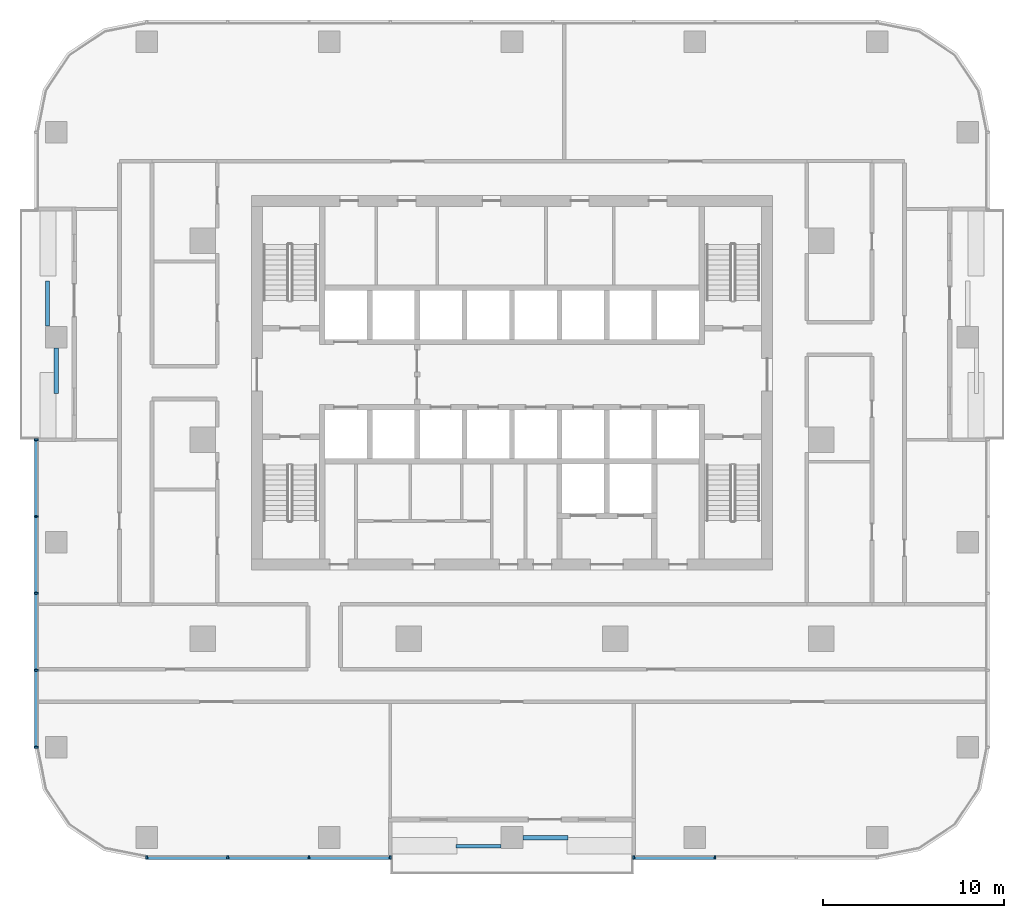
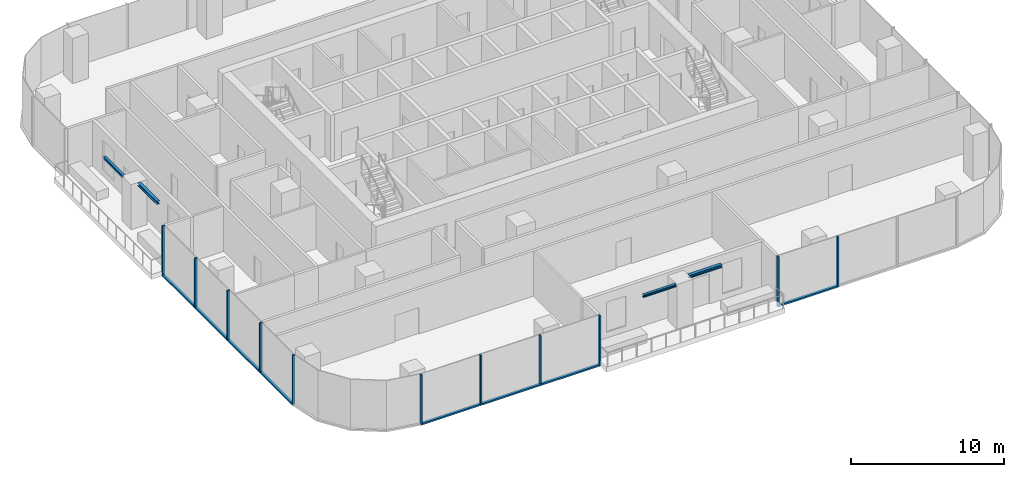
# One storey, part 2 of 14: 19 members, 4 beams, 3 elements without a shape of their own.
"""IFC4 building model written with IfcOpenShell, lengths in metres."""

from ifc_helpers import new_model, si_unit, direction, frame, origin, origin_2d, place, context, subcontext, project, spatial, rectangle, i_section, extrude, material, material_profile, profile_set, type_object, element, aggregate, save


model = new_model("IFC4")

# Units and contexts
model_context = context("Model", 3, precision=1e-05, world=origin(), true_north=direction((0.0, 1.0)))
body_context = subcontext(model_context, "Body", "Model", "MODEL_VIEW")
ifc_project = project(units=[si_unit("LENGTHUNIT", "METRE"), si_unit("AREAUNIT", "SQUARE_METRE"), si_unit("VOLUMEUNIT", "CUBIC_METRE"), si_unit("PLANEANGLEUNIT", "RADIAN"), si_unit("MASSUNIT", "GRAM", prefix="KILO")], contexts=[model_context])

# Site, building, storey
site_placement = place(None, origin())
site = spatial("IfcSite", under=ifc_project, at=site_placement, CompositionType="ELEMENT")
building_placement = place(site_placement, origin())
building = spatial("IfcBuilding", under=site, at=building_placement, Name="Mopane Tessera Tower", CompositionType="ELEMENT")
storey_placement = place(building_placement, frame((0.0, 0.0, 165.0)))
storey = spatial("IfcBuildingStorey", under=building, at=storey_placement, Name="L33", CompositionType="ELEMENT", Elevation=165.0)

# Curtain wall, members
ifc_material_1 = material(Name="Aluminium frame", Category="aluminium")
curtain_wall_type = type_object("IfcCurtainWallType", Name="Unitised curtain wall", PredefinedType="NOTDEFINED", material=ifc_material_1)
curtain_wall_1_placement = place(storey_placement, origin())
curtain_wall_1 = element("IfcCurtainWall", 1, at=curtain_wall_1_placement, inside=storey, type_object=curtain_wall_type, Name="e:cw:L33:S:0", PredefinedType="NOTDEFINED")
ifc_material_2 = material(Name="Aluminium frame", Category="aluminium")
ifc_material_profile_1 = material_profile(ifc_material_2, rectangle(XDim=0.10009765625, YDim=0.199951171875, at=origin_2d()))
ifc_profile_set_1 = profile_set([ifc_material_profile_1], Name="Aluminium frame")
member_type_1 = type_object("IfcMemberType", Name="Aluminium mullion 100 x 200", PredefinedType="MULLION", material=ifc_profile_set_1)
member_1_placement = place(storey_placement, frame((-20.199951171875, -23.10009765625, -0.39990234375), z_axis=(0.0, 0.0, 1.0), x_axis=(1.0, 0.0, 0.0)))
member_1 = element("IfcMember", 2, at=member_1_placement, type_object=member_type_1, Name="e:cw:L33:S:0:mu0", PredefinedType="MULLION", context=body_context, shape_type="SweptSolid", body=[
    extrude(rectangle(XDim=0.10009765625, YDim=0.199951171875, at=origin_2d()), origin(), (0.0, 0.0, 1.0), 4.0),
])
member_2_placement = place(storey_placement, frame((-15.711181640625, -23.10009765625, -0.39990234375), z_axis=(0.0, 0.0, 1.0), x_axis=(1.0, 0.0, 0.0)))
member_2 = element("IfcMember", 3, at=member_2_placement, type_object=member_type_1, Name="e:cw:L33:S:0:mu1", PredefinedType="MULLION", context=body_context, shape_type="SweptSolid", body=[
    extrude(rectangle(XDim=0.10009765625, YDim=0.199951171875, at=origin_2d()), origin(), (0.0, 0.0, 1.0), 4.0),
])
member_3_placement = place(storey_placement, frame((-11.22216796875, -23.10009765625, -0.39990234375), z_axis=(0.0, 0.0, 1.0), x_axis=(1.0, 0.0, 0.0)))
member_3 = element("IfcMember", 4, at=member_3_placement, type_object=member_type_1, Name="e:cw:L33:S:0:mu2", PredefinedType="MULLION", context=body_context, shape_type="SweptSolid", body=[
    extrude(rectangle(XDim=0.10009765625, YDim=0.199951171875, at=origin_2d()), origin(), (0.0, 0.0, 1.0), 4.0),
])
member_4_placement = place(storey_placement, frame((-6.7333984375, -23.10009765625, -0.39990234375), z_axis=(0.0, 0.0, 1.0), x_axis=(1.0, 0.0, 0.0)))
member_4 = element("IfcMember", 5, at=member_4_placement, type_object=member_type_1, Name="e:cw:L33:S:0:mu3", PredefinedType="MULLION", context=body_context, shape_type="SweptSolid", body=[
    extrude(rectangle(XDim=0.10009765625, YDim=0.199951171875, at=origin_2d()), origin(), (0.0, 0.0, 1.0), 4.0),
])

curtain_wall_2_placement = place(storey_placement, origin())
curtain_wall_2 = element("IfcCurtainWall", 6, at=curtain_wall_2_placement, inside=storey, type_object=curtain_wall_type, Name="e:cw:L33:S:6", PredefinedType="NOTDEFINED")
member_5_placement = place(storey_placement, frame((6.7333984375, -23.10009765625, -0.39990234375), z_axis=(0.0, 0.0, 1.0), x_axis=(1.0, 0.0, 0.0)))
member_5 = element("IfcMember", 7, at=member_5_placement, type_object=member_type_1, Name="e:cw:L33:S:6:mu6", PredefinedType="MULLION", context=body_context, shape_type="SweptSolid", body=[
    extrude(rectangle(XDim=0.10009765625, YDim=0.199951171875, at=origin_2d()), origin(), (0.0, 0.0, 1.0), 4.0),
])
member_6_placement = place(storey_placement, frame((11.22216796875, -23.10009765625, -0.39990234375), z_axis=(0.0, 0.0, 1.0), x_axis=(1.0, 0.0, 0.0)))
member_6 = element("IfcMember", 8, at=member_6_placement, type_object=member_type_1, Name="e:cw:L33:S:6:mu7", PredefinedType="MULLION", context=body_context, shape_type="SweptSolid", body=[
    extrude(rectangle(XDim=0.10009765625, YDim=0.199951171875, at=origin_2d()), origin(), (0.0, 0.0, 1.0), 4.0),
])

curtain_wall_3_placement = place(storey_placement, origin())
curtain_wall_3 = element("IfcCurtainWall", 9, at=curtain_wall_3_placement, inside=storey, type_object=curtain_wall_type, Name="e:cw:L33:W:4", PredefinedType="NOTDEFINED")
member_7_placement = place(storey_placement, frame((-26.300048828125, 0.0, -0.39990234375), z_axis=(0.0, 0.0, 1.0), x_axis=(0.0, -1.0, 0.0)))
member_7 = element("IfcMember", 10, at=member_7_placement, type_object=member_type_1, Name="e:cw:L33:W:4:mu4", PredefinedType="MULLION", context=body_context, shape_type="SweptSolid", body=[
    extrude(rectangle(XDim=0.10009765625, YDim=0.199951171875, at=origin_2d()), origin(), (0.0, 0.0, 1.0), 4.0),
])
member_8_placement = place(storey_placement, frame((-26.300048828125, -4.25, -0.39990234375), z_axis=(0.0, 0.0, 1.0), x_axis=(0.0, -1.0, 0.0)))
member_8 = element("IfcMember", 11, at=member_8_placement, type_object=member_type_1, Name="e:cw:L33:W:4:mu5", PredefinedType="MULLION", context=body_context, shape_type="SweptSolid", body=[
    extrude(rectangle(XDim=0.10009765625, YDim=0.199951171875, at=origin_2d()), origin(), (0.0, 0.0, 1.0), 4.0),
])
member_9_placement = place(storey_placement, frame((-26.300048828125, -8.5, -0.39990234375), z_axis=(0.0, 0.0, 1.0), x_axis=(0.0, -1.0, 0.0)))
member_9 = element("IfcMember", 12, at=member_9_placement, type_object=member_type_1, Name="e:cw:L33:W:4:mu6", PredefinedType="MULLION", context=body_context, shape_type="SweptSolid", body=[
    extrude(rectangle(XDim=0.10009765625, YDim=0.199951171875, at=origin_2d()), origin(), (0.0, 0.0, 1.0), 4.0),
])
member_10_placement = place(storey_placement, frame((-26.300048828125, -12.75, -0.39990234375), z_axis=(0.0, 0.0, 1.0), x_axis=(0.0, -1.0, 0.0)))
member_10 = element("IfcMember", 13, at=member_10_placement, type_object=member_type_1, Name="e:cw:L33:W:4:mu7", PredefinedType="MULLION", context=body_context, shape_type="SweptSolid", body=[
    extrude(rectangle(XDim=0.10009765625, YDim=0.199951171875, at=origin_2d()), origin(), (0.0, 0.0, 1.0), 4.0),
])
member_11_placement = place(storey_placement, frame((-26.300048828125, -17.0, -0.39990234375), z_axis=(0.0, 0.0, 1.0), x_axis=(0.0, -1.0, 0.0)))
member_11 = element("IfcMember", 14, at=member_11_placement, type_object=member_type_1, Name="e:cw:L33:W:4:mu8", PredefinedType="MULLION", context=body_context, shape_type="SweptSolid", body=[
    extrude(rectangle(XDim=0.10009765625, YDim=0.199951171875, at=origin_2d()), origin(), (0.0, 0.0, 1.0), 4.0),
])

# Member
ifc_material_3 = material(Name="Aluminium frame", Category="aluminium")
ifc_material_profile_2 = material_profile(ifc_material_3, rectangle(XDim=0.199951171875, YDim=0.1201171875, at=origin_2d()))
ifc_profile_set_2 = profile_set([ifc_material_profile_2], Name="Aluminium frame")
member_type_2 = type_object("IfcMemberType", Name="Aluminium transom 200 x 120", PredefinedType="USERDEFINED", material=ifc_profile_set_2)
member_12_placement = place(storey_placement, frame((-20.14990234375, -23.10009765625, -0.340087890625), z_axis=(1.0, 0.0, 0.0), x_axis=(0.0, 1.0, 0.0)))
member_12 = element("IfcMember", 15, at=member_12_placement, type_object=member_type_2, Name="e:cw:L33:S:0:tr0", ObjectType="TRANSOM", PredefinedType="USERDEFINED", context=body_context, shape_type="SweptSolid", body=[
    extrude(rectangle(XDim=0.199951171875, YDim=0.1201171875, at=origin_2d()), origin(), (0.0, 0.0, 1.0), 4.388671875),
])

member_13_placement = place(storey_placement, frame((-15.6611328125, -23.10009765625, -0.340087890625), z_axis=(1.0, 0.0, 0.0), x_axis=(0.0, 1.0, 0.0)))
member_13 = element("IfcMember", 16, at=member_13_placement, type_object=member_type_2, Name="e:cw:L33:S:0:tr1", ObjectType="TRANSOM", PredefinedType="USERDEFINED", context=body_context, shape_type="SweptSolid", body=[
    extrude(rectangle(XDim=0.199951171875, YDim=0.1201171875, at=origin_2d()), origin(), (0.0, 0.0, 1.0), 4.388916015625),
])

member_14_placement = place(storey_placement, frame((-11.172119140625, -23.10009765625, -0.340087890625), z_axis=(1.0, 0.0, 0.0), x_axis=(0.0, 1.0, 0.0)))
member_14 = element("IfcMember", 17, at=member_14_placement, type_object=member_type_2, Name="e:cw:L33:S:0:tr2", ObjectType="TRANSOM", PredefinedType="USERDEFINED", context=body_context, shape_type="SweptSolid", body=[
    extrude(rectangle(XDim=0.199951171875, YDim=0.1201171875, at=origin_2d()), origin(), (0.0, 0.0, 1.0), 4.388671875),
])

aggregate(curtain_wall_1, [member_1, member_2, member_3, member_4, member_12, member_13, member_14])

member_15_placement = place(storey_placement, frame((6.783447265625, -23.10009765625, -0.340087890625), z_axis=(1.0, 0.0, 0.0), x_axis=(0.0, 1.0, 0.0)))
member_15 = element("IfcMember", 18, at=member_15_placement, type_object=member_type_2, Name="e:cw:L33:S:6:tr6", ObjectType="TRANSOM", PredefinedType="USERDEFINED", context=body_context, shape_type="SweptSolid", body=[
    extrude(rectangle(XDim=0.199951171875, YDim=0.1201171875, at=origin_2d()), origin(), (0.0, 0.0, 1.0), 4.388671875),
])

aggregate(curtain_wall_2, [member_5, member_6, member_15])

member_16_placement = place(storey_placement, frame((-26.300048828125, -0.050048828125, -0.340087890625), z_axis=(0.0, -1.0, 0.0), x_axis=(1.0, 0.0, 0.0)))
member_16 = element("IfcMember", 19, at=member_16_placement, type_object=member_type_2, Name="e:cw:L33:W:4:tr4", ObjectType="TRANSOM", PredefinedType="USERDEFINED", context=body_context, shape_type="SweptSolid", body=[
    extrude(rectangle(XDim=0.199951171875, YDim=0.1201171875, at=origin_2d()), origin(), (0.0, 0.0, 1.0), 4.14990234375),
])

member_17_placement = place(storey_placement, frame((-26.300048828125, -4.300048828125, -0.340087890625), z_axis=(0.0, -1.0, 0.0), x_axis=(1.0, 0.0, 0.0)))
member_17 = element("IfcMember", 20, at=member_17_placement, type_object=member_type_2, Name="e:cw:L33:W:4:tr5", ObjectType="TRANSOM", PredefinedType="USERDEFINED", context=body_context, shape_type="SweptSolid", body=[
    extrude(rectangle(XDim=0.199951171875, YDim=0.1201171875, at=origin_2d()), origin(), (0.0, 0.0, 1.0), 4.14990234375),
])

member_18_placement = place(storey_placement, frame((-26.300048828125, -8.550048828125, -0.340087890625), z_axis=(0.0, -1.0, 0.0), x_axis=(1.0, 0.0, 0.0)))
member_18 = element("IfcMember", 21, at=member_18_placement, type_object=member_type_2, Name="e:cw:L33:W:4:tr6", ObjectType="TRANSOM", PredefinedType="USERDEFINED", context=body_context, shape_type="SweptSolid", body=[
    extrude(rectangle(XDim=0.199951171875, YDim=0.1201171875, at=origin_2d()), origin(), (0.0, 0.0, 1.0), 4.14990234375),
])

member_19_placement = place(storey_placement, frame((-26.300048828125, -12.800048828125, -0.340087890625), z_axis=(0.0, -1.0, 0.0), x_axis=(1.0, 0.0, 0.0)))
member_19 = element("IfcMember", 22, at=member_19_placement, type_object=member_type_2, Name="e:cw:L33:W:4:tr7", ObjectType="TRANSOM", PredefinedType="USERDEFINED", context=body_context, shape_type="SweptSolid", body=[
    extrude(rectangle(XDim=0.199951171875, YDim=0.1201171875, at=origin_2d()), origin(), (0.0, 0.0, 1.0), 4.14990234375),
])

aggregate(curtain_wall_3, [member_7, member_8, member_9, member_10, member_11, member_16, member_17, member_18, member_19])

# Beams
ifc_material_4 = material(Name="Structural steel S460", Category="steel")
ifc_material_profile_3 = material_profile(ifc_material_4, i_section(OverallWidth=0.239990234375, OverallDepth=0.239990234375, WebThickness=0.010009765625, FlangeThickness=0.01708984375, FilletRadius=0.02099609375, at=origin_2d()))
ifc_profile_set_3 = profile_set([ifc_material_profile_3], Name="Structural steel S460")
beam_type_1 = type_object("IfcBeamType", Name="Terrace spandrel beam HE 240 B", PredefinedType="SPANDREL", material=ifc_profile_set_3)
for number, where, z_axis, x_axis, name in (
    (23, (-25.199951171875, 5.063720703125, 3.47998046875), (0.0, -1.0, 0.0), (1.0, 0.0, 0.0), "Terrace spandrel beam N1 L34"),
    (24, (0.60302734375, -22.0, 3.47998046875), (1.0, 0.0, 0.0), (0.0, 1.0, 0.0), "Terrace spandrel beam N2 L34"),
):
    element("IfcBeam", number, at=place(storey_placement, frame(where, z_axis=z_axis, x_axis=x_axis)), inside=storey, type_object=beam_type_1, Name=name, PredefinedType="SPANDREL", context=body_context, shape_type="SweptSolid", body=[
        extrude(i_section(OverallWidth=0.239990234375, OverallDepth=0.239990234375, WebThickness=0.010009765625, FlangeThickness=0.01708984375, FilletRadius=0.02099609375, at=origin_2d()), origin(), (0.0, 0.0, 1.0), 2.5),
    ])
ifc_material_5 = material(Name="Structural steel S460", Category="steel")
ifc_material_profile_4 = material_profile(ifc_material_5, i_section(OverallWidth=0.199951171875, OverallDepth=0.199951171875, WebThickness=0.009033203125, FlangeThickness=0.014892578125, FilletRadius=0.01806640625, at=origin_2d()))
ifc_profile_set_4 = profile_set([ifc_material_profile_4], Name="Structural steel S460")
beam_type_2 = type_object("IfcBeamType", Name="Terrace trimmer beam HE 200 B", PredefinedType="BEAM", material=ifc_profile_set_4)
for number, where, z_axis, x_axis, name in (
    (25, (-25.679931640625, 6.269775390625, 3.5), (0.0, 1.0, 0.0), (-1.0, 0.0, 0.0), "Terrace trimmer beam N1 L34"),
    (26, (-0.60302734375, -22.47998046875, 3.5), (-1.0, 0.0, 0.0), (0.0, -1.0, 0.0), "Terrace trimmer beam N2 L34"),
):
    element("IfcBeam", number, at=place(storey_placement, frame(where, z_axis=z_axis, x_axis=x_axis)), inside=storey, type_object=beam_type_2, Name=name, PredefinedType="BEAM", context=body_context, shape_type="SweptSolid", body=[
        extrude(i_section(OverallWidth=0.199951171875, OverallDepth=0.199951171875, WebThickness=0.009033203125, FlangeThickness=0.014892578125, FilletRadius=0.01806640625, at=origin_2d()), origin(), (0.0, 0.0, 1.0), 2.5),
    ])

save(model, "model.ifc")
